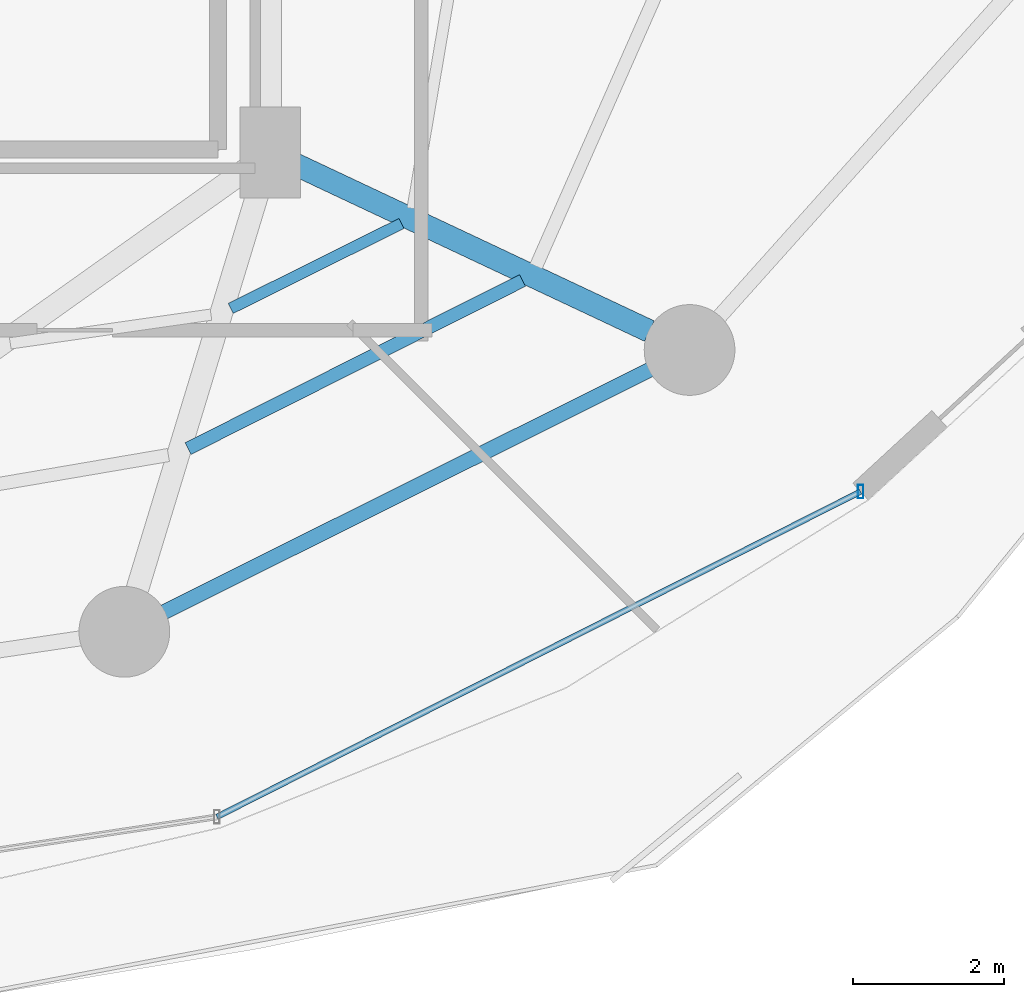
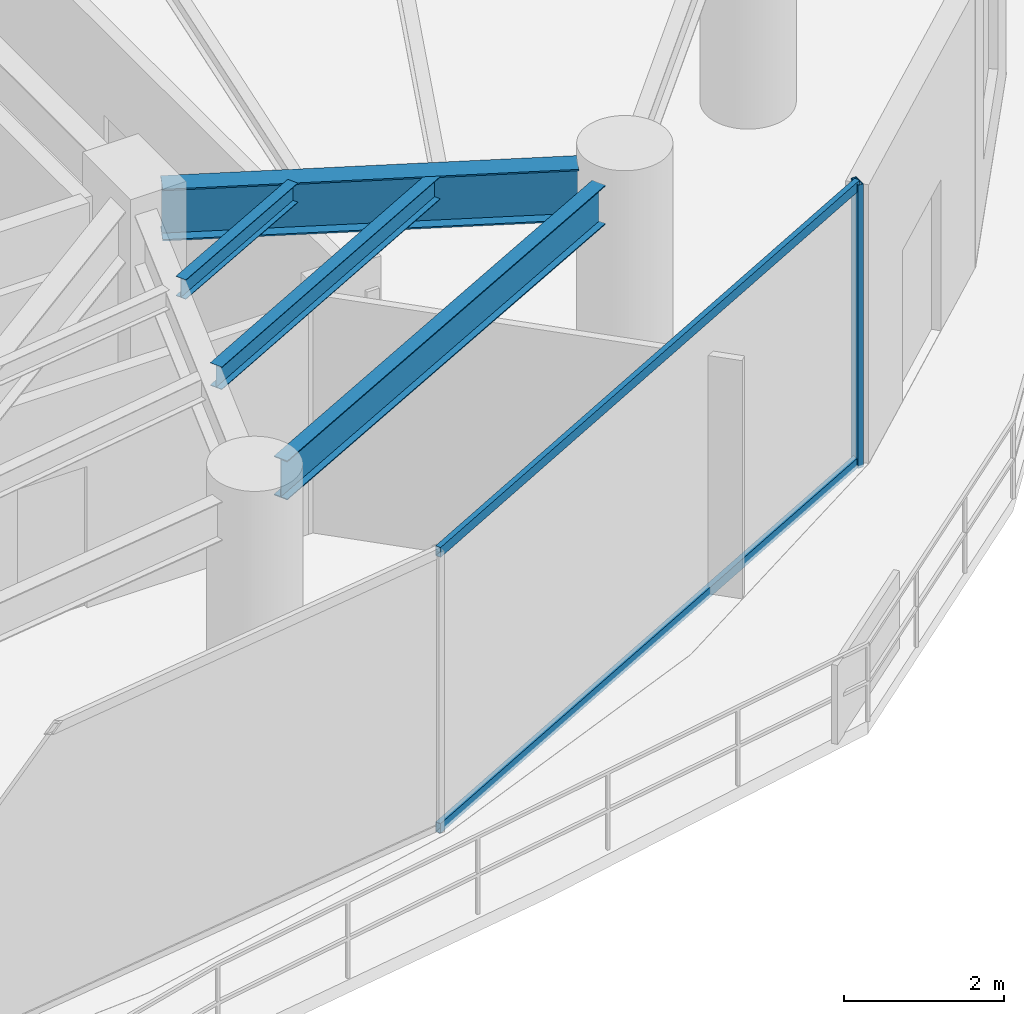
# One storey, part 11 of 27: 4 beams, 3 members, 1 element without a shape of its own.
"""IFC4 building model written with IfcOpenShell, lengths in metres."""

from ifc_helpers import new_model, si_unit, direction, frame, origin, origin_2d, place, context, subcontext, project, spatial, hollow_rectangle, i_section, extrude, material, material_profile, profile_set, type_object, element, aggregate, save


model = new_model("IFC4")

# Units and contexts
model_context = context("Model", 3, precision=1e-05, world=origin(), true_north=direction((0.0, 1.0)))
body_context = subcontext(model_context, "Body", "Model", "MODEL_VIEW")
ifc_project = project(units=[si_unit("LENGTHUNIT", "METRE"), si_unit("AREAUNIT", "SQUARE_METRE"), si_unit("VOLUMEUNIT", "CUBIC_METRE"), si_unit("PLANEANGLEUNIT", "RADIAN"), si_unit("MASSUNIT", "GRAM", prefix="KILO")], contexts=[model_context])

# Site, building, storey
site_placement = place(None, origin())
site = spatial("IfcSite", under=ifc_project, at=site_placement, CompositionType="ELEMENT")
building_placement = place(site_placement, origin())
building = spatial("IfcBuilding", under=site, at=building_placement, Name="Vorneva Point Tower", CompositionType="ELEMENT")
storey_placement = place(building_placement, frame((0.0, 0.0, 74.300048828125)))
storey = spatial("IfcBuildingStorey", under=building, at=storey_placement, Name="L19", CompositionType="ELEMENT", Elevation=74.300048828125)

# Beams
ifc_material_1 = material(Name="Steel S355", Category="steel")
ifc_material_profile_1 = material_profile(ifc_material_1, i_section(OverallWidth=0.300048828125, OverallDepth=0.7880859375, WebThickness=0.014404296875, FlangeThickness=0.02197265625, at=origin_2d()), Name="80Sh1")
ifc_profile_set_1 = profile_set([ifc_material_profile_1], Name="Steel S355")
beam_type_1 = type_object("IfcBeamType", Name="BM-GRD-80Sh1", PredefinedType="USERDEFINED", material=ifc_profile_set_1)
beam_1_placement = place(storey_placement, frame((53.766845703125, 14.088134765625, 3.845947265625), z_axis=(-0.904749595176, 0.425943857836, 0.0), x_axis=(-0.425943857836, -0.904749595176, 0.0)))
element("IfcBeam", 1, at=beam_1_placement, inside=storey, type_object=beam_type_1, Name="L19 Radial Primary Girder 15", ObjectType="GIRDER", PredefinedType="USERDEFINED", context=body_context, shape_type="SweptSolid", body=[
    extrude(i_section(OverallWidth=0.300048828125, OverallDepth=0.7880859375, WebThickness=0.014404296875, FlangeThickness=0.02197265625, at=origin_2d()), origin(), (0.0, 0.0, 1.0), 5.205078125),
])
ifc_material_profile_2 = material_profile(ifc_material_1, i_section(OverallWidth=0.14892578125, OverallDepth=0.298095703125, WebThickness=0.005615234375, FlangeThickness=0.008056640625, at=origin_2d()), Name="30B1")
ifc_profile_set_2 = profile_set([ifc_material_profile_2], Name="Steel S355")
beam_type_2 = type_object("IfcBeamType", Name="BM-JST-30B1", PredefinedType="JOIST", material=ifc_profile_set_2)
beam_2_placement = place(storey_placement, frame((48.22705078125, 14.38671875, 4.091064453125), z_axis=(0.895218442501, 0.445627580167, 0.0), x_axis=(-0.445627580167, 0.895218442501, 0.0)))
element("IfcBeam", 2, at=beam_2_placement, inside=storey, type_object=beam_type_2, Name="L19 Secondary Floor Beam 2.14", PredefinedType="JOIST", context=body_context, shape_type="SweptSolid", body=[
    extrude(i_section(OverallWidth=0.14892578125, OverallDepth=0.298095703125, WebThickness=0.005615234375, FlangeThickness=0.008056640625, at=origin_2d()), origin(), (0.0, 0.0, 1.0), 2.525634765625),
])
ifc_material_profile_3 = material_profile(ifc_material_1, i_section(OverallWidth=0.174072265625, OverallDepth=0.345947265625, WebThickness=0.006103515625, FlangeThickness=0.009033203125, at=origin_2d()), Name="35B1")
ifc_profile_set_3 = profile_set([ifc_material_profile_3], Name="Steel S355")
beam_type_3 = type_object("IfcBeamType", Name="BM-SEC-35B1", PredefinedType="BEAM", material=ifc_profile_set_3)
beam_3_placement = place(storey_placement, frame((47.662841796875, 12.533203125, 4.06689453125), z_axis=(0.893518627335, 0.449026126863, 0.0), x_axis=(-0.449026126863, 0.893518627335, 0.0)))
element("IfcBeam", 3, at=beam_3_placement, inside=storey, type_object=beam_type_3, Name="L19 Secondary Floor Beam 1.14", PredefinedType="BEAM", context=body_context, shape_type="SweptSolid", body=[
    extrude(i_section(OverallWidth=0.174072265625, OverallDepth=0.345947265625, WebThickness=0.006103515625, FlangeThickness=0.009033203125, at=origin_2d()), origin(), (0.0, 0.0, 1.0), 4.954345703125),
])
ifc_material_profile_4 = material_profile(ifc_material_1, i_section(OverallWidth=0.198974609375, OverallDepth=0.595947265625, WebThickness=0.010009765625, FlangeThickness=0.014892578125, at=origin_2d()), Name="60B1")
ifc_profile_set_4 = profile_set([ifc_material_profile_4], Name="Steel S355")
beam_type_4 = type_object("IfcBeamType", Name="BM-SPN-60B1", PredefinedType="SPANDREL", material=ifc_profile_set_4)
beam_4_placement = place(storey_placement, frame((47.344482421875, 10.370361328125, 3.94189453125), z_axis=(0.894922668731, 0.446221264611, 0.0), x_axis=(-0.446221264611, 0.894922668731, 0.0)))
element("IfcBeam", 4, at=beam_4_placement, inside=storey, type_object=beam_type_4, Name="L19 Perimeter Spandrel Ring Beam 14", PredefinedType="SPANDREL", context=body_context, shape_type="SweptSolid", body=[
    extrude(i_section(OverallWidth=0.198974609375, OverallDepth=0.595947265625, WebThickness=0.010009765625, FlangeThickness=0.014892578125, at=origin_2d()), origin(), (0.0, 0.0, 1.0), 7.18603515625),
])

# Curtain wall, members
ifc_material_2 = material(Name="Pale anodised aluminium", Category="aluminium")
curtain_wall_type = type_object("IfcCurtainWallType", Name="CW-SKY-SYS", PredefinedType="NOTDEFINED", material=ifc_material_2)
curtain_wall_placement = place(storey_placement, origin())
curtain_wall = element("IfcCurtainWall", 5, at=curtain_wall_placement, inside=storey, type_object=curtain_wall_type, Name="L19 Unitised Curtain Wall CW-L19-R04", PredefinedType="NOTDEFINED")
ifc_material_profile_5 = material_profile(ifc_material_2, hollow_rectangle(XDim=0.074951171875, YDim=0.179931640625, WallThickness=0.00390625, at=origin_2d()), Name="AL-MUL 180x75x4")
ifc_profile_set_5 = profile_set([ifc_material_profile_5], Name="Pale anodised aluminium")
member_type_1 = type_object("IfcMemberType", Name="CW-MUL-180", PredefinedType="MULLION", material=ifc_profile_set_5)
member_1_placement = place(storey_placement, frame((56.5615234375, 11.9638671875, -0.0400390625), z_axis=(0.0, 0.0, 1.0), x_axis=(1.0, 0.0, 0.0)))
member_1 = element("IfcMember", 6, at=member_1_placement, type_object=member_type_1, Name="CW-L19-R04 Mullion 05", PredefinedType="MULLION", context=body_context, shape_type="SweptSolid", body=[
    extrude(hollow_rectangle(XDim=0.074951171875, YDim=0.179931640625, WallThickness=0.00390625, at=origin_2d()), origin(), (0.0, 0.0, 1.0), 4.31005859375),
])
ifc_material_profile_6 = material_profile(ifc_material_2, hollow_rectangle(XDim=0.074951171875, YDim=0.14990234375, WallThickness=0.00390625, at=origin_2d()), Name="AL-TRN 150x75x4")
ifc_profile_set_6 = profile_set([ifc_material_profile_6], Name="Pale anodised aluminium")
member_type_2 = type_object("IfcMemberType", Name="CW-TRN-150", PredefinedType="USERDEFINED", material=ifc_profile_set_6)
member_2_placement = place(storey_placement, frame((48.04541015625, 7.660888671875, 0.02001953125), z_axis=(0.892536035732, 0.450976080207, 0.0), x_axis=(-0.450976080207, 0.892536035732, 0.0)))
member_2 = element("IfcMember", 7, at=member_2_placement, type_object=member_type_2, Name="CW-L19-R04 Transom 04.1", ObjectType="TRANSOM", PredefinedType="USERDEFINED", context=body_context, shape_type="SweptSolid", body=[
    extrude(hollow_rectangle(XDim=0.074951171875, YDim=0.14990234375, WallThickness=0.00390625, at=origin_2d()), origin(), (0.0, 0.0, 1.0), 9.54150390625),
])
member_3_placement = place(storey_placement, frame((48.04541015625, 7.660888671875, 4.219970703125), z_axis=(0.892536035732, 0.450976080207, 0.0), x_axis=(-0.450976080207, 0.892536035732, 0.0)))
member_3 = element("IfcMember", 8, at=member_3_placement, type_object=member_type_2, Name="CW-L19-R04 Transom 04.2", ObjectType="TRANSOM", PredefinedType="USERDEFINED", context=body_context, shape_type="SweptSolid", body=[
    extrude(hollow_rectangle(XDim=0.074951171875, YDim=0.14990234375, WallThickness=0.00390625, at=origin_2d()), origin(), (0.0, 0.0, 1.0), 9.54150390625),
])
aggregate(curtain_wall, [member_1, member_2, member_3])

save(model, "model.ifc")
